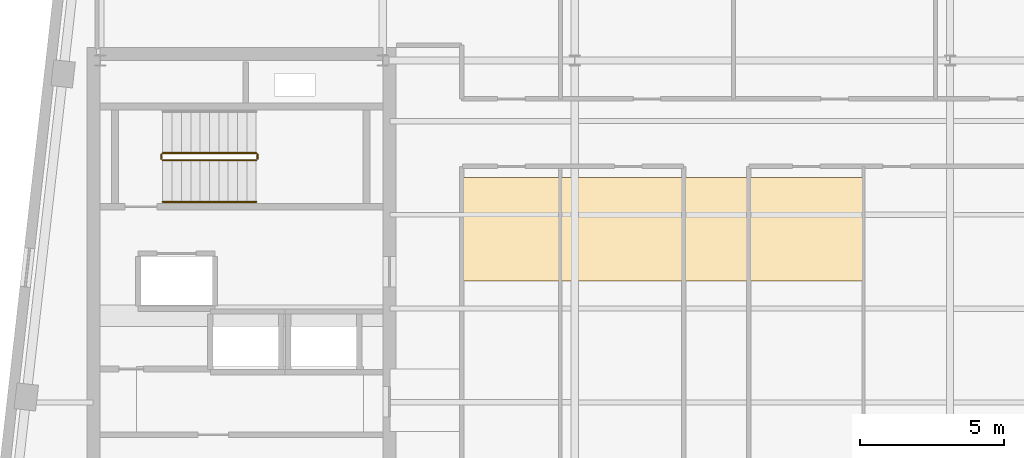
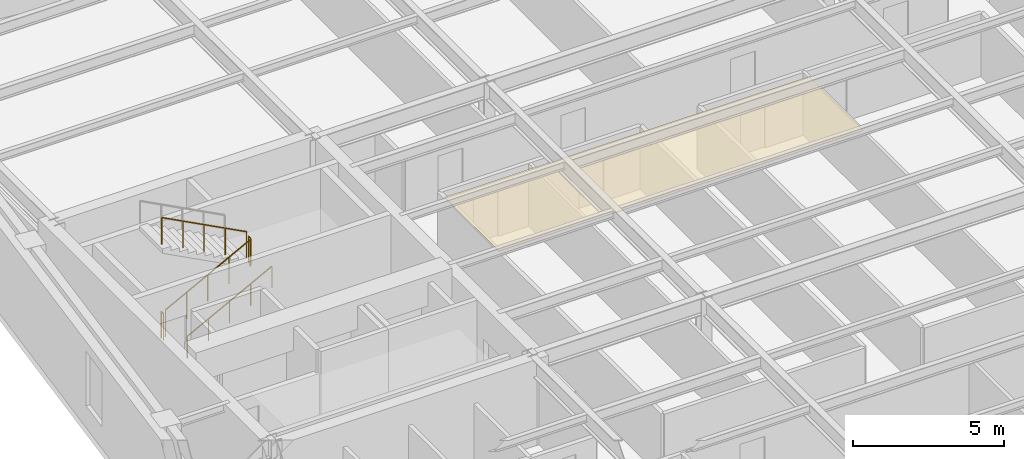
# One storey, part 11 of 13: 5 railings, 1 covering.
"""IFC4 building model written with IfcOpenShell, lengths in metres."""

from ifc_helpers import new_model, si_unit, direction, frame, origin, origin_2d, place, context, subcontext, project, spatial, polyline, circle, outline, extrude, material, layer, layer_set, type_object, element, save


model = new_model("IFC4")

# Units and contexts
model_context = context("Model", 3, precision=1e-05, world=origin(), true_north=direction((0.0, 1.0)))
body_context = subcontext(model_context, "Body", "Model", "MODEL_VIEW")
ifc_project = project(units=[si_unit("LENGTHUNIT", "METRE"), si_unit("AREAUNIT", "SQUARE_METRE"), si_unit("VOLUMEUNIT", "CUBIC_METRE"), si_unit("PLANEANGLEUNIT", "RADIAN"), si_unit("MASSUNIT", "GRAM", prefix="KILO")], contexts=[model_context])

# Site, building, storey
site_placement = place(None, origin())
site = spatial("IfcSite", under=ifc_project, at=site_placement, CompositionType="ELEMENT")
building_placement = place(site_placement, origin())
building = spatial("IfcBuilding", under=site, at=building_placement, Name="Kolvaren Arena Tower", CompositionType="ELEMENT")
storey_placement = place(building_placement, frame((0.0, 0.0, 228.449951171875)))
storey = spatial("IfcBuildingStorey", under=building, at=storey_placement, Name="L55", CompositionType="ELEMENT", Elevation=228.449951171875)

# Covering
ifc_material_1 = material(Name="Mineral fibre acoustic ceiling tile", Category="gypsum")
ifc_layer = layer(ifc_material_1, 0.02490234375)
ifc_layer_set = layer_set([ifc_layer], Name="Mineral fibre acoustic ceiling tile")
covering_type = type_object("IfcCoveringType", Name="CEIL-ACT-1", PredefinedType="CEILING", material=ifc_layer_set)
covering_placement = place(storey_placement, frame((0.0, 0.0, 2.52001953125)))
element("IfcCovering", 1, at=covering_placement, inside=storey, type_object=covering_type, Name="Suspended Ceiling (L55)", PredefinedType="CEILING", context=body_context, shape_type="SweptSolid", body=[
    extrude(outline(polyline([(27.050048828125, 26.199951171875), (27.050048828125, 29.800048828125), (41.0, 29.800048828125), (41.0, 26.199951171875), (27.050048828125, 26.199951171875)])), origin(), (0.0, 0.0, 1.0), 0.025146484375),
])

# Railings
ifc_material_2 = material(Name="Painted galvanized steel", Category="steel")
railing_type_1 = type_object("IfcRailingType", Name="GUARD-ST-110", PredefinedType="GUARDRAIL", material=ifc_material_2)
railing_1_placement = place(storey_placement, frame((16.719970703125, 30.389892578125, 0.17041015625)))
element("IfcRailing", 2, at=railing_1_placement, inside=storey, type_object=railing_type_1, Name="L55 ST-W1 stair guard 1", PredefinedType="GUARDRAIL", context=body_context, shape_type="SweptSolid", body=[
    extrude(circle(Radius=0.02392578125, at=origin_2d()), frame((0.0, 0.0, 1.076171875), z_axis=(0.884993431791, 0.0, 0.465603506952), x_axis=(0.0, 1.0, 0.0)), (0.0, 0.0, 1.0), 3.6611328125),
    extrude(circle(Radius=0.02099609375, at=origin_2d()), origin(), (0.0, 0.0, 1.0), 1.052001953125),
    extrude(circle(Radius=0.02099609375, at=origin_2d()), frame((0.81005859375, 0.0, 0.42626953125)), (0.0, 0.0, 1.0), 1.052001953125),
    extrude(circle(Radius=0.02099609375, at=origin_2d()), frame((1.6201171875, 0.0, 0.852294921875)), (0.0, 0.0, 1.0), 1.052001953125),
    extrude(circle(Radius=0.02099609375, at=origin_2d()), frame((2.429931640625, 0.0, 1.2783203125)), (0.0, 0.0, 1.0), 1.052001953125),
    extrude(circle(Radius=0.02099609375, at=origin_2d()), frame((3.239990234375, 0.0, 1.70458984375)), (0.0, 0.0, 1.0), 1.052001953125),
])
railing_2_placement = place(storey_placement, frame((20.010009765625, 30.43994140625, 1.875)))
element("IfcRailing", 3, at=railing_2_placement, inside=storey, type_object=railing_type_1, Name="L55 ST-W1 stair guard 2", PredefinedType="GUARDRAIL", context=body_context, shape_type="SweptSolid", body=[
    extrude(circle(Radius=0.02392578125, at=origin_2d()), frame((0.0, 0.0, 1.076171875), z_axis=(0.0, 1.0, 0.0), x_axis=(-1.0, 0.0, 0.0)), (0.0, 0.0, 1.0), 0.150146484375),
    extrude(circle(Radius=0.02099609375, at=origin_2d()), origin(), (0.0, 0.0, 1.0), 1.052001953125),
    extrude(circle(Radius=0.02099609375, at=origin_2d()), frame((0.0, 0.150146484375, 0.0)), (0.0, 0.0, 1.0), 1.052001953125),
])
railing_3_placement = place(storey_placement, frame((19.9599609375, 30.639892578125, 2.04541015625)))
element("IfcRailing", 4, at=railing_3_placement, inside=storey, type_object=railing_type_1, Name="L55 ST-W1 stair guard 3", PredefinedType="GUARDRAIL", context=body_context, shape_type="SweptSolid", body=[
    extrude(circle(Radius=0.02392578125, at=origin_2d()), frame((0.0, 0.0, 1.076171875), z_axis=(-0.884993431791, 0.0, 0.465603506952), x_axis=(0.0, -1.0, 0.0)), (0.0, 0.0, 1.0), 3.6611328125),
    extrude(circle(Radius=0.02099609375, at=origin_2d()), origin(), (0.0, 0.0, 1.0), 1.052001953125),
    extrude(circle(Radius=0.02099609375, at=origin_2d()), frame((-0.81005859375, 0.0, 0.42626953125)), (0.0, 0.0, 1.0), 1.052001953125),
    extrude(circle(Radius=0.02099609375, at=origin_2d()), frame((-1.6201171875, 0.0, 0.852294921875)), (0.0, 0.0, 1.0), 1.052001953125),
    extrude(circle(Radius=0.02099609375, at=origin_2d()), frame((-2.429931640625, 0.0, 1.2783203125)), (0.0, 0.0, 1.0), 1.052001953125),
    extrude(circle(Radius=0.02099609375, at=origin_2d()), frame((-3.239990234375, 0.0, 1.70458984375)), (0.0, 0.0, 1.0), 1.052001953125),
])
railing_4_placement = place(storey_placement, frame((16.669921875, 30.43994140625, 0.0)))
element("IfcRailing", 5, at=railing_4_placement, inside=storey, type_object=railing_type_1, Name="L55 ST-W1 stair guard 4", PredefinedType="GUARDRAIL", context=body_context, shape_type="SweptSolid", body=[
    extrude(circle(Radius=0.02392578125, at=origin_2d()), frame((0.0, 0.0, 1.076171875), z_axis=(0.0, 1.0, 0.0), x_axis=(-1.0, 0.0, 0.0)), (0.0, 0.0, 1.0), 0.150146484375),
    extrude(circle(Radius=0.02099609375, at=origin_2d()), origin(), (0.0, 0.0, 1.0), 1.052001953125),
    extrude(circle(Radius=0.02099609375, at=origin_2d()), frame((0.0, 0.150146484375, 0.0)), (0.0, 0.0, 1.0), 1.052001953125),
])
ifc_material_3 = material(Name="Brushed stainless steel handrail", Category="steel")
railing_type_2 = type_object("IfcRailingType", Name="HRAIL-900", PredefinedType="HANDRAIL", material=ifc_material_3)
railing_5_placement = place(storey_placement, frame((16.719970703125, 28.949951171875, 0.17041015625)))
element("IfcRailing", 6, at=railing_5_placement, inside=storey, type_object=railing_type_2, Name="L55 ST-W1 stair handrail 1", PredefinedType="HANDRAIL", context=body_context, shape_type="SweptSolid", body=[
    extrude(circle(Radius=0.02392578125, at=origin_2d()), frame((0.0, 0.0, 0.8759765625), z_axis=(0.884993431791, 0.0, 0.465603506952), x_axis=(0.0, 1.0, 0.0)), (0.0, 0.0, 1.0), 3.6611328125),
    extrude(circle(Radius=0.02099609375, at=origin_2d()), origin(), (0.0, 0.0, 1.0), 0.851806640625),
    extrude(circle(Radius=0.02099609375, at=origin_2d()), frame((0.81005859375, 0.0, 0.42626953125)), (0.0, 0.0, 1.0), 0.851806640625),
    extrude(circle(Radius=0.02099609375, at=origin_2d()), frame((1.6201171875, 0.0, 0.852294921875)), (0.0, 0.0, 1.0), 0.851806640625),
    extrude(circle(Radius=0.02099609375, at=origin_2d()), frame((2.429931640625, 0.0, 1.2783203125)), (0.0, 0.0, 1.0), 0.851806640625),
    extrude(circle(Radius=0.02099609375, at=origin_2d()), frame((3.239990234375, 0.0, 1.70458984375)), (0.0, 0.0, 1.0), 0.851806640625),
])

save(model, "model.ifc")
